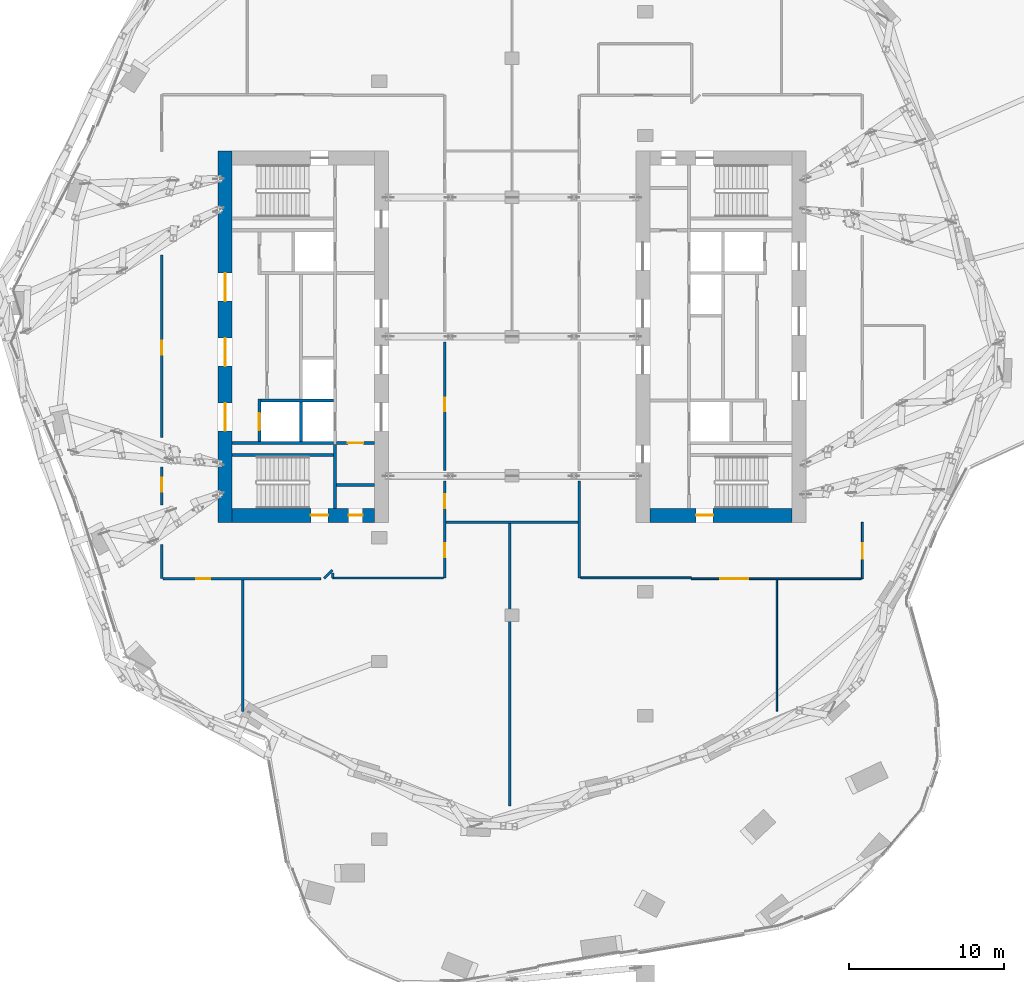
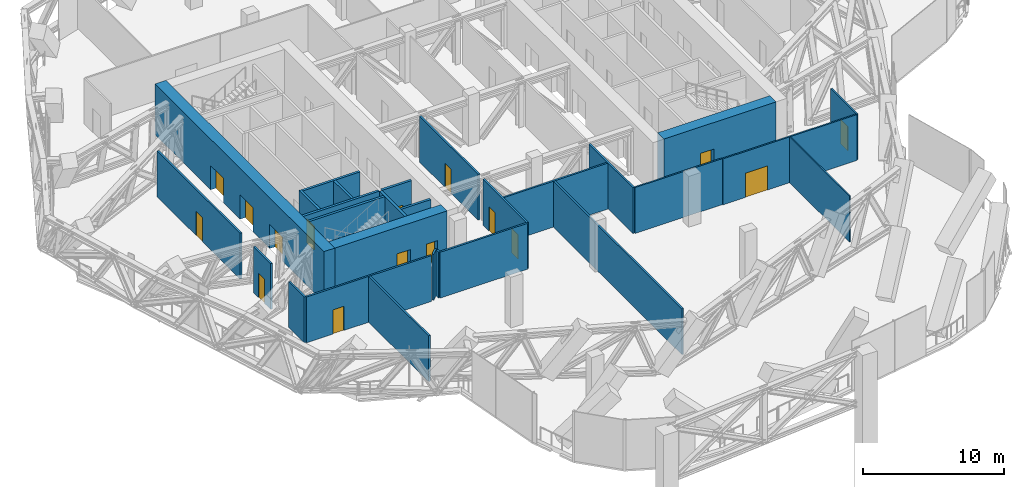
# One storey, part 22 of 31: 28 walls, 16 doors, 16 openings.
"""IFC4 building model written with IfcOpenShell, lengths in metres."""

from ifc_helpers import new_model, si_unit, direction, frame, frame_2d, origin, place, context, subcontext, project, spatial, rectangle, extrude, material, layer, layer_set, type_object, element, fill, save


model = new_model("IFC4")

# Units and contexts
model_context = context("Model", 3, precision=1e-05, world=origin(), true_north=direction((0.0, 1.0)))
body_context = subcontext(model_context, "Body", "Model", "MODEL_VIEW")
ifc_project = project(units=[si_unit("LENGTHUNIT", "METRE"), si_unit("AREAUNIT", "SQUARE_METRE"), si_unit("VOLUMEUNIT", "CUBIC_METRE"), si_unit("PLANEANGLEUNIT", "RADIAN"), si_unit("MASSUNIT", "GRAM", prefix="KILO")], contexts=[model_context])

# Site, building, storey
site_placement = place(None, origin())
site = spatial("IfcSite", under=ifc_project, at=site_placement, CompositionType="ELEMENT")
building_placement = place(site_placement, origin())
building = spatial("IfcBuilding", under=site, at=building_placement, Name="Orlundy Tower", CompositionType="ELEMENT")
storey_placement = place(building_placement, frame((0.0, 0.0, 271.0)))
storey = spatial("IfcBuildingStorey", under=building, at=storey_placement, Name="L72", CompositionType="ELEMENT", Elevation=271.0)

# Wall, openings, doors
ifc_material_1 = material(Name="Concrete C60/75", Category="concrete")
ifc_layer_1 = layer(ifc_material_1, 0.89990234375)
ifc_layer_set_1 = layer_set([ifc_layer_1], Name="CORE WALL 900 C60/75")
wall_type_1 = type_object("IfcWallType", Name="CORE WALL 900 C60/75", PredefinedType="SHEAR", material=ifc_layer_set_1)
wall_1_placement = place(storey_placement, frame((-18.10009765625, -11.550048828125, 0.0), z_axis=(0.0, 0.0, 1.0), x_axis=(1.0, 0.0, 0.0)))
wall_1 = element("IfcWall", 1, at=wall_1_placement, inside=storey, type_object=wall_type_1, Name="Core wall W-S L72", PredefinedType="SHEAR", context=body_context, shape_type="SweptSolid", body=[
    extrude(rectangle(XDim=9.2001953125, YDim=0.89990234375, at=frame_2d((4.60009765625, 0.0))), origin(), (0.0, 0.0, 1.0), 4.39990234375),
])
opening_1_placement = place(wall_1_placement, frame((5.10009765625, 0.0, 0.0)))
opening_1 = element("IfcOpeningElement", 2, at=opening_1_placement, cuts=wall_1, Name="Opening 54016", PredefinedType="OPENING", context=body_context, shape_type="SweptSolid", body=[
    extrude(rectangle(XDim=1.10009765625, YDim=2.10009765625, at=frame_2d((0.550048828125, 1.050048828125))), frame((0.0, 0.4599609375, 0.0), z_axis=(0.0, -1.0, 0.0), x_axis=(1.0, 0.0, 0.0)), (0.0, 0.0, 1.0), 0.919921875),
])
opening_2_placement = place(wall_1_placement, frame((7.530029296875, 0.0, 0.0)))
opening_2 = element("IfcOpeningElement", 3, at=opening_2_placement, cuts=wall_1, Name="Opening 54018", PredefinedType="OPENING", context=body_context, shape_type="SweptSolid", body=[
    extrude(rectangle(XDim=0.89990234375, YDim=2.10009765625, at=frame_2d((0.449951171875, 1.050048828125))), frame((0.0, 0.4599609375, 0.0), z_axis=(0.0, -1.0, 0.0), x_axis=(1.0, 0.0, 0.0)), (0.0, 0.0, 1.0), 0.919921875),
])
ifc_material_2 = material(Name="Timber door set", Category="wood")
door_type_1 = type_object("IfcDoorType", Name="Room Door 900x2100", OperationType="SINGLE_SWING_LEFT", PredefinedType="DOOR", material=ifc_material_2)
door_1_placement = place(opening_2_placement, origin())
door_1 = element("IfcDoor", 4, at=door_1_placement, inside=storey, type_object=door_type_1, Name="Store door 54018", OperationType="SINGLE_SWING_RIGHT", OverallHeight=2.10009765625, OverallWidth=0.89990234375, PredefinedType="DOOR", context=body_context, shape_type="SweptSolid", body=[
    extrude(rectangle(XDim=0.89990234375, YDim=2.10009765625, at=frame_2d((0.449951171875, 1.050048828125))), frame((0.0, 0.02490234375, 0.0), z_axis=(0.0, -1.0, 0.0), x_axis=(1.0, 0.0, 0.0)), (0.0, 0.0, 1.0), 0.050048828125),
])
fill(opening_2, door_1)
ifc_material_3 = material(Name="Steel door set", Category="steel")
door_type_2 = type_object("IfcDoorType", Name="Stair Door 1100x2100", OperationType="SINGLE_SWING_LEFT", PredefinedType="DOOR", material=ifc_material_3)
door_2_placement = place(opening_1_placement, origin())
door_2 = element("IfcDoor", 5, at=door_2_placement, inside=storey, type_object=door_type_2, Name="Stair door 54016", OperationType="SINGLE_SWING_RIGHT", OverallHeight=2.10009765625, OverallWidth=1.10009765625, PredefinedType="DOOR", context=body_context, shape_type="SweptSolid", body=[
    extrude(rectangle(XDim=1.10009765625, YDim=2.10009765625, at=frame_2d((0.550048828125, 1.050048828125))), frame((0.0, 0.02490234375, 0.0), z_axis=(0.0, -1.0, 0.0), x_axis=(1.0, 0.0, 0.0)), (0.0, 0.0, 1.0), 0.050048828125),
])
fill(opening_1, door_2)

wall_2_placement = place(storey_placement, frame((-18.550048828125, -12.0, 0.0), z_axis=(0.0, 0.0, 1.0), x_axis=(0.0, 1.0, 0.0)))
wall_2 = element("IfcWall", 6, at=wall_2_placement, inside=storey, type_object=wall_type_1, Name="Core wall W-W L72", PredefinedType="SHEAR", context=body_context, shape_type="SweptSolid", body=[
    extrude(rectangle(XDim=24.0, YDim=0.89990234375, at=frame_2d((12.0, 0.0))), origin(), (0.0, 0.0, 1.0), 4.39990234375),
])
opening_3_placement = place(wall_2_placement, frame((5.89990234375, 0.0, 0.0)))
opening_3 = element("IfcOpeningElement", 7, at=opening_3_placement, cuts=wall_2, Name="Opening 54009", PredefinedType="OPENING", context=body_context, shape_type="SweptSolid", body=[
    extrude(rectangle(XDim=1.800048828125, YDim=2.10009765625, at=frame_2d((0.89990234375, 1.050048828125))), frame((0.0, 0.4599609375, 0.0), z_axis=(0.0, -1.0, 0.0), x_axis=(1.0, 0.0, 0.0)), (0.0, 0.0, 1.0), 0.919921875),
])
opening_4_placement = place(wall_2_placement, frame((10.10009765625, 0.0, 0.0)))
opening_4 = element("IfcOpeningElement", 8, at=opening_4_placement, cuts=wall_2, Name="Opening 54010", PredefinedType="OPENING", context=body_context, shape_type="SweptSolid", body=[
    extrude(rectangle(XDim=1.800048828125, YDim=2.10009765625, at=frame_2d((0.89990234375, 1.050048828125))), frame((0.0, 0.4599609375, 0.0), z_axis=(0.0, -1.0, 0.0), x_axis=(1.0, 0.0, 0.0)), (0.0, 0.0, 1.0), 0.919921875),
])
opening_5_placement = place(wall_2_placement, frame((14.300048828125, 0.0, 0.0)))
opening_5 = element("IfcOpeningElement", 9, at=opening_5_placement, cuts=wall_2, Name="Opening 54011", PredefinedType="OPENING", context=body_context, shape_type="SweptSolid", body=[
    extrude(rectangle(XDim=1.800048828125, YDim=2.10009765625, at=frame_2d((0.89990234375, 1.050048828125))), frame((0.0, 0.4599609375, 0.0), z_axis=(0.0, -1.0, 0.0), x_axis=(1.0, 0.0, 0.0)), (0.0, 0.0, 1.0), 0.919921875),
])
ifc_material_4 = material(Name="Timber door set", Category="wood")
door_type_3 = type_object("IfcDoorType", Name="Lobby Door 1800x2100", OperationType="DOUBLE_DOOR_DOUBLE_SWING", PredefinedType="DOOR", material=ifc_material_4)
door_3_placement = place(opening_3_placement, origin())
door_3 = element("IfcDoor", 10, at=door_3_placement, inside=storey, type_object=door_type_3, Name="Lift lobby door 54009", OperationType="SINGLE_SWING_LEFT", OverallHeight=2.10009765625, OverallWidth=1.800048828125, PredefinedType="DOOR", context=body_context, shape_type="SweptSolid", body=[
    extrude(rectangle(XDim=1.800048828125, YDim=2.10009765625, at=frame_2d((0.89990234375, 1.050048828125))), frame((0.0, 0.02490234375, 0.0), z_axis=(0.0, -1.0, 0.0), x_axis=(1.0, 0.0, 0.0)), (0.0, 0.0, 1.0), 0.050048828125),
])
fill(opening_3, door_3)
door_4_placement = place(opening_4_placement, origin())
door_4 = element("IfcDoor", 11, at=door_4_placement, inside=storey, type_object=door_type_3, Name="Lift lobby door 54010", OperationType="SINGLE_SWING_LEFT", OverallHeight=2.10009765625, OverallWidth=1.800048828125, PredefinedType="DOOR", context=body_context, shape_type="SweptSolid", body=[
    extrude(rectangle(XDim=1.800048828125, YDim=2.10009765625, at=frame_2d((0.89990234375, 1.050048828125))), frame((0.0, 0.02490234375, 0.0), z_axis=(0.0, -1.0, 0.0), x_axis=(1.0, 0.0, 0.0)), (0.0, 0.0, 1.0), 0.050048828125),
])
fill(opening_4, door_4)
door_5_placement = place(opening_5_placement, origin())
door_5 = element("IfcDoor", 12, at=door_5_placement, inside=storey, type_object=door_type_3, Name="Lift lobby door 54011", OperationType="SINGLE_SWING_RIGHT", OverallHeight=2.10009765625, OverallWidth=1.800048828125, PredefinedType="DOOR", context=body_context, shape_type="SweptSolid", body=[
    extrude(rectangle(XDim=1.800048828125, YDim=2.10009765625, at=frame_2d((0.89990234375, 1.050048828125))), frame((0.0, 0.02490234375, 0.0), z_axis=(0.0, -1.0, 0.0), x_axis=(1.0, 0.0, 0.0)), (0.0, 0.0, 1.0), 0.050048828125),
])
fill(opening_5, door_5)

# Wall, opening, door
wall_3_placement = place(storey_placement, frame((8.89990234375, -11.550048828125, 0.0), z_axis=(0.0, 0.0, 1.0), x_axis=(1.0, 0.0, 0.0)))
wall_3 = element("IfcWall", 13, at=wall_3_placement, inside=storey, type_object=wall_type_1, Name="Core wall E-S L72", PredefinedType="SHEAR", context=body_context, shape_type="SweptSolid", body=[
    extrude(rectangle(XDim=9.2001953125, YDim=0.89990234375, at=frame_2d((4.60009765625, 0.0))), origin(), (0.0, 0.0, 1.0), 4.39990234375),
])
opening_6_placement = place(wall_3_placement, frame((3.0, 0.0, 0.0)))
opening_6 = element("IfcOpeningElement", 14, at=opening_6_placement, cuts=wall_3, Name="Opening 54064", PredefinedType="OPENING", context=body_context, shape_type="SweptSolid", body=[
    extrude(rectangle(XDim=1.10009765625, YDim=2.10009765625, at=frame_2d((0.550048828125, 1.050048828125))), frame((0.0, 0.4599609375, 0.0), z_axis=(0.0, -1.0, 0.0), x_axis=(1.0, 0.0, 0.0)), (0.0, 0.0, 1.0), 0.919921875),
])
door_6_placement = place(opening_6_placement, origin())
door_6 = element("IfcDoor", 15, at=door_6_placement, inside=storey, type_object=door_type_2, Name="Stair door 54064", OperationType="SINGLE_SWING_LEFT", OverallHeight=2.10009765625, OverallWidth=1.10009765625, PredefinedType="DOOR", context=body_context, shape_type="SweptSolid", body=[
    extrude(rectangle(XDim=1.10009765625, YDim=2.10009765625, at=frame_2d((0.550048828125, 1.050048828125))), frame((0.0, 0.02490234375, 0.0), z_axis=(0.0, -1.0, 0.0), x_axis=(1.0, 0.0, 0.0)), (0.0, 0.0, 1.0), 0.050048828125),
])
fill(opening_6, door_6)

# Wall
ifc_material_5 = material(Name="Gypsum board partition")
ifc_layer_2 = layer(ifc_material_5, 0.10009765625)
ifc_layer_set_2 = layer_set([ifc_layer_2], Name="Floor partition 100")
wall_type_2 = type_object("IfcWallType", Name="Floor partition 100", PredefinedType="PARTITIONING", material=ifc_layer_set_2)
wall_4_placement = place(storey_placement, frame((17.12109375, -24.20703125, 0.0), z_axis=(0.0, 0.0, 1.0), x_axis=(0.0, 1.0, 0.0)))
element("IfcWall", 16, at=wall_4_placement, inside=storey, type_object=wall_type_2, Name="wall-int-L72-022", PredefinedType="PARTITIONING", context=body_context, shape_type="SweptSolid", body=[
    extrude(rectangle(XDim=8.494140625, YDim=0.10009765625, at=frame_2d((4.2470703125, 0.0))), origin(), (0.0, 0.0, 1.0), 3.97998046875),
])

# Wall, opening, door
ifc_material_6 = material(Name="Gypsum board partition, double layer")
ifc_layer_3 = layer(ifc_material_6, 0.125)
ifc_layer_set_3 = layer_set([ifc_layer_3], Name="Floor partition 125")
wall_type_3 = type_object("IfcWallType", Name="Floor partition 125", PredefinedType="PARTITIONING", material=ifc_layer_set_3)
wall_5_placement = place(storey_placement, frame((22.5869140625, -15.65087890625, 0.0), z_axis=(0.0, 0.0, 1.0), x_axis=(-1.0, 0.0, 0.0)))
wall_5 = element("IfcWall", 17, at=wall_5_placement, inside=storey, type_object=wall_type_3, Name="wall-int-L72-003", PredefinedType="PARTITIONING", context=body_context, shape_type="SweptSolid", body=[
    extrude(rectangle(XDim=10.995849609375, YDim=0.125, at=frame_2d((5.498046875, 0.0))), origin(), (0.0, 0.0, 1.0), 3.97998046875),
])
opening_7_placement = place(wall_5_placement, frame((7.31640625, 0.0, 0.0)))
opening_7 = element("IfcOpeningElement", 18, at=opening_7_placement, cuts=wall_5, Name="Opening 54106", PredefinedType="OPENING", context=body_context, shape_type="SweptSolid", body=[
    extrude(rectangle(XDim=1.800048828125, YDim=2.10009765625, at=frame_2d((0.89990234375, 1.050048828125))), frame((0.0, 0.072509765625, 0.0), z_axis=(0.0, -1.0, 0.0), x_axis=(1.0, 0.0, 0.0)), (0.0, 0.0, 1.0), 0.14501953125),
])
ifc_material_7 = material(Name="Timber door leaf", Category="wood")
door_type_4 = type_object("IfcDoorType", Name="Floor door double 1800 FD30S", OperationType="NOTDEFINED", PredefinedType="DOOR", material=ifc_material_7)
door_7_placement = place(opening_7_placement, origin())
door_7 = element("IfcDoor", 19, at=door_7_placement, inside=storey, type_object=door_type_4, Name="Door 54106", OperationType="DOUBLE_DOOR_SINGLE_SWING", OverallHeight=2.10009765625, OverallWidth=1.800048828125, PredefinedType="DOOR", context=body_context, shape_type="SweptSolid", body=[
    extrude(rectangle(XDim=1.800048828125, YDim=2.10009765625, at=frame_2d((0.89990234375, 1.050048828125))), frame((0.0, 0.02490234375, 0.0), z_axis=(0.0, -1.0, 0.0), x_axis=(1.0, 0.0, 0.0)), (0.0, 0.0, 1.0), 0.050048828125),
])
fill(opening_7, door_7)

# Wall
wall_6_placement = place(storey_placement, frame((4.425048828125, -15.60009765625, 0.0), z_axis=(0.0, 0.0, 1.0), x_axis=(0.999999990712, -0.000136295487, 0.0)))
element("IfcWall", 20, at=wall_6_placement, inside=storey, type_object=wall_type_3, Name="wall-int-L72-005", PredefinedType="PARTITIONING", context=body_context, shape_type="SweptSolid", body=[
    extrude(rectangle(XDim=7.1650390625, YDim=0.125, at=frame_2d((3.58251953125, 0.0))), origin(), (0.0, 0.0, 1.0), 3.97998046875),
])

# Wall, opening, door
wall_7_placement = place(storey_placement, frame((22.65087890625, -12.0, 0.0), z_axis=(0.0, 0.0, 1.0), x_axis=(0.0, -1.0, 0.0)))
wall_7 = element("IfcWall", 21, at=wall_7_placement, inside=storey, type_object=wall_type_3, Name="wall-int-L72-017", PredefinedType="PARTITIONING", context=body_context, shape_type="SweptSolid", body=[
    extrude(rectangle(XDim=3.64990234375, YDim=0.125, at=frame_2d((1.824951171875, 0.0))), origin(), (0.0, 0.0, 1.0), 3.97998046875),
])
opening_8_placement = place(wall_7_placement, frame((1.35009765625, 0.0, 0.0)))
opening_8 = element("IfcOpeningElement", 22, at=opening_8_placement, cuts=wall_7, Name="Opening 54107", PredefinedType="OPENING", context=body_context, shape_type="SweptSolid", body=[
    extrude(rectangle(XDim=1.0, YDim=2.10009765625, at=frame_2d((0.5, 1.050048828125))), frame((0.0, 0.072509765625, 0.0), z_axis=(0.0, -1.0, 0.0), x_axis=(1.0, 0.0, 0.0)), (0.0, 0.0, 1.0), 0.14501953125),
])
ifc_material_8 = material(Name="Timber door leaf", Category="wood")
door_type_5 = type_object("IfcDoorType", Name="Floor door wide 1000 FD30S", OperationType="NOTDEFINED", PredefinedType="DOOR", material=ifc_material_8)
door_8_placement = place(opening_8_placement, origin())
door_8 = element("IfcDoor", 23, at=door_8_placement, inside=storey, type_object=door_type_5, Name="Door 54107", OperationType="SINGLE_SWING_RIGHT", OverallHeight=2.10009765625, OverallWidth=1.0, PredefinedType="DOOR", context=body_context, shape_type="SweptSolid", body=[
    extrude(rectangle(XDim=1.0, YDim=2.10009765625, at=frame_2d((0.5, 1.050048828125))), frame((0.0, 0.02490234375, 0.0), z_axis=(0.0, -1.0, 0.0), x_axis=(1.0, 0.0, 0.0)), (0.0, 0.0, 1.0), 0.050048828125),
])
fill(opening_8, door_8)

# Wall
ifc_material_9 = material(Name="Blockwork shaft wall", Category="masonry")
ifc_layer_4 = layer(ifc_material_9, 0.14990234375)
ifc_layer_set_4 = layer_set([ifc_layer_4], Name="Floor shaft wall 150")
wall_type_4 = type_object("IfcWallType", Name="Floor shaft wall 150", PredefinedType="PARTITIONING", material=ifc_layer_set_4)
wall_8_placement = place(storey_placement, frame((-11.60107421875, -15.27294921875, 0.0), z_axis=(0.0, 0.0, 1.0), x_axis=(0.002993998557, -0.999995517976, 0.0)))
element("IfcWall", 24, at=wall_8_placement, inside=storey, type_object=wall_type_4, Name="wall-int-L72-001", PredefinedType="PARTITIONING", context=body_context, shape_type="SweptSolid", body=[
    extrude(rectangle(XDim=0.326171875, YDim=0.14990234375, at=frame_2d((0.1630859375, 0.0))), origin(), (0.0, 0.0, 1.0), 3.97998046875),
])

# Wall, opening, door
wall_9_placement = place(storey_placement, frame((-12.341064453125, -15.65087890625, 0.0), z_axis=(0.0, 0.0, 1.0), x_axis=(-1.0, 0.0, 0.0)))
wall_9 = element("IfcWall", 25, at=wall_9_placement, inside=storey, type_object=wall_type_4, Name="wall-int-L72-002", PredefinedType="PARTITIONING", context=body_context, shape_type="SweptSolid", body=[
    extrude(rectangle(XDim=10.23388671875, YDim=0.14990234375, at=frame_2d((5.116943359375, 0.0))), origin(), (0.0, 0.0, 1.0), 3.97998046875),
])
opening_9_placement = place(wall_9_placement, frame((7.162841796875, 0.0, 0.0)))
opening_9 = element("IfcOpeningElement", 26, at=opening_9_placement, cuts=wall_9, Name="Opening 54102", PredefinedType="OPENING", context=body_context, shape_type="SweptSolid", body=[
    extrude(rectangle(XDim=0.89990234375, YDim=2.10009765625, at=frame_2d((0.449951171875, 1.050048828125))), frame((0.0, 0.0849609375, 0.0), z_axis=(0.0, -1.0, 0.0), x_axis=(1.0, 0.0, 0.0)), (0.0, 0.0, 1.0), 0.169921875),
])
ifc_material_10 = material(Name="Timber door leaf", Category="wood")
door_type_6 = type_object("IfcDoorType", Name="Floor door single 900 FD60", OperationType="NOTDEFINED", PredefinedType="DOOR", material=ifc_material_10)
door_9_placement = place(opening_9_placement, origin())
door_9 = element("IfcDoor", 27, at=door_9_placement, inside=storey, type_object=door_type_6, Name="Door 54102", OperationType="SINGLE_SWING_RIGHT", OverallHeight=2.10009765625, OverallWidth=0.89990234375, PredefinedType="DOOR", context=body_context, shape_type="SweptSolid", body=[
    extrude(rectangle(XDim=0.89990234375, YDim=2.10009765625, at=frame_2d((0.449951171875, 1.050048828125))), frame((0.0, 0.02490234375, 0.0), z_axis=(0.0, -1.0, 0.0), x_axis=(1.0, 0.0, 0.0)), (0.0, 0.0, 1.0), 0.050048828125),
])
fill(opening_9, door_9)

# Walls
wall_10_placement = place(storey_placement, frame((-11.59912109375, -15.60009765625, 0.0), z_axis=(0.0, 0.0, 1.0), x_axis=(1.0, 0.0, 0.0)))
element("IfcWall", 28, at=wall_10_placement, inside=storey, type_object=wall_type_4, Name="wall-int-L72-004", PredefinedType="PARTITIONING", context=body_context, shape_type="SweptSolid", body=[
    extrude(rectangle(XDim=7.175048828125, YDim=0.14990234375, at=frame_2d((3.58740234375, 0.0))), origin(), (0.0, 0.0, 1.0), 3.97998046875),
])
wall_11_placement = place(storey_placement, frame((-4.27392578125, -12.0, 0.0), z_axis=(0.0, 0.0, 1.0), x_axis=(1.0, 0.0, 0.0)))
element("IfcWall", 29, at=wall_11_placement, inside=storey, type_object=wall_type_4, Name="wall-int-L72-006", PredefinedType="PARTITIONING", context=body_context, shape_type="SweptSolid", body=[
    extrude(rectangle(XDim=8.548828125, YDim=0.14990234375, at=frame_2d((4.2744140625, 0.0))), origin(), (0.0, 0.0, 1.0), 3.97998046875),
])
wall_12_placement = place(storey_placement, frame((-12.153076171875, -15.6298828125, 0.0), z_axis=(0.0, 0.0, 1.0), x_axis=(0.707269652718, 0.706943872132, 0.0)))
element("IfcWall", 30, at=wall_12_placement, inside=storey, type_object=wall_type_4, Name="wall-int-L72-014", PredefinedType="PARTITIONING", context=body_context, shape_type="SweptSolid", body=[
    extrude(rectangle(XDim=0.74951171875, YDim=0.14990234375, at=frame_2d((0.374755859375, 0.0))), origin(), (0.0, 0.0, 1.0), 3.97998046875),
])
wall_13_placement = place(storey_placement, frame((4.35009765625, -15.60009765625, 0.0), z_axis=(0.0, 0.0, 1.0), x_axis=(0.0, 1.0, 0.0)))
element("IfcWall", 31, at=wall_13_placement, inside=storey, type_object=wall_type_4, Name="wall-int-L72-025", PredefinedType="PARTITIONING", context=body_context, shape_type="SweptSolid", body=[
    extrude(rectangle(XDim=6.26513671875, YDim=0.14990234375, at=frame_2d((3.132568359375, 0.0))), origin(), (0.0, 0.0, 1.0), 3.97998046875),
])
wall_14_placement = place(storey_placement, frame((-0.14208984375, -30.34912109375, 0.0), z_axis=(0.0, 0.0, 1.0), x_axis=(0.0, 1.0, 0.0)))
element("IfcWall", 32, at=wall_14_placement, inside=storey, type_object=wall_type_4, Name="wall-int-L72-031", PredefinedType="PARTITIONING", context=body_context, shape_type="SweptSolid", body=[
    extrude(rectangle(XDim=18.274169921875, YDim=0.14990234375, at=frame_2d((9.13720703125, 0.0))), origin(), (0.0, 0.0, 1.0), 3.97998046875),
])

# Wall, openings, doors
wall_15_placement = place(storey_placement, frame((-4.34912109375, -9.3349609375, 0.0), z_axis=(0.0, 0.0, 1.0), x_axis=(0.0, -1.0, 0.0)))
wall_15 = element("IfcWall", 33, at=wall_15_placement, inside=storey, type_object=wall_type_4, Name="wall-int-L72-032", PredefinedType="PARTITIONING", context=body_context, shape_type="SweptSolid", body=[
    extrude(rectangle(XDim=6.26513671875, YDim=0.14990234375, at=frame_2d((3.132568359375, 0.0))), origin(), (0.0, 0.0, 1.0), 3.97998046875),
])
opening_10_placement = place(wall_15_placement, frame((4.014892578125, 0.0, 0.0)))
opening_10 = element("IfcOpeningElement", 34, at=opening_10_placement, cuts=wall_15, Name="Opening 54103", PredefinedType="OPENING", context=body_context, shape_type="SweptSolid", body=[
    extrude(rectangle(XDim=0.89990234375, YDim=2.10009765625, at=frame_2d((0.449951171875, 1.050048828125))), frame((0.0, 0.0849609375, 0.0), z_axis=(0.0, -1.0, 0.0), x_axis=(1.0, 0.0, 0.0)), (0.0, 0.0, 1.0), 0.169921875),
])
opening_11_placement = place(wall_15_placement, frame((0.85009765625, 0.0, 0.0)))
opening_11 = element("IfcOpeningElement", 35, at=opening_11_placement, cuts=wall_15, Name="Opening 54104", PredefinedType="OPENING", context=body_context, shape_type="SweptSolid", body=[
    extrude(rectangle(XDim=0.89990234375, YDim=2.10009765625, at=frame_2d((0.449951171875, 1.050048828125))), frame((0.0, 0.0849609375, 0.0), z_axis=(0.0, -1.0, 0.0), x_axis=(1.0, 0.0, 0.0)), (0.0, 0.0, 1.0), 0.169921875),
])
door_10_placement = place(opening_10_placement, origin())
door_10 = element("IfcDoor", 36, at=door_10_placement, inside=storey, type_object=door_type_6, Name="Door 54103", OperationType="SINGLE_SWING_RIGHT", OverallHeight=2.10009765625, OverallWidth=0.89990234375, PredefinedType="DOOR", context=body_context, shape_type="SweptSolid", body=[
    extrude(rectangle(XDim=0.89990234375, YDim=2.10009765625, at=frame_2d((0.449951171875, 1.050048828125))), frame((0.0, 0.02490234375, 0.0), z_axis=(0.0, -1.0, 0.0), x_axis=(1.0, 0.0, 0.0)), (0.0, 0.0, 1.0), 0.050048828125),
])
fill(opening_10, door_10)
door_11_placement = place(opening_11_placement, origin())
door_11 = element("IfcDoor", 37, at=door_11_placement, inside=storey, type_object=door_type_6, Name="Door 54104", OperationType="SINGLE_SWING_LEFT", OverallHeight=2.10009765625, OverallWidth=0.89990234375, PredefinedType="DOOR", context=body_context, shape_type="SweptSolid", body=[
    extrude(rectangle(XDim=0.89990234375, YDim=2.10009765625, at=frame_2d((0.449951171875, 1.050048828125))), frame((0.0, 0.02490234375, 0.0), z_axis=(0.0, -1.0, 0.0), x_axis=(1.0, 0.0, 0.0)), (0.0, 0.0, 1.0), 0.050048828125),
])
fill(opening_11, door_11)

# Wall, opening, door
wall_16_placement = place(storey_placement, frame((-4.34912109375, -0.3349609375, 0.0), z_axis=(0.0, 0.0, 1.0), x_axis=(0.0, -1.0, 0.0)))
wall_16 = element("IfcWall", 38, at=wall_16_placement, inside=storey, type_object=wall_type_4, Name="wall-int-L72-033", PredefinedType="PARTITIONING", context=body_context, shape_type="SweptSolid", body=[
    extrude(rectangle(XDim=8.330078125, YDim=0.14990234375, at=frame_2d((4.1650390625, 0.0))), origin(), (0.0, 0.0, 1.0), 3.97998046875),
])
opening_12_placement = place(wall_16_placement, frame((3.60009765625, 0.0, 0.0)))
opening_12 = element("IfcOpeningElement", 39, at=opening_12_placement, cuts=wall_16, Name="Opening 54105", PredefinedType="OPENING", context=body_context, shape_type="SweptSolid", body=[
    extrude(rectangle(XDim=0.89990234375, YDim=2.10009765625, at=frame_2d((0.449951171875, 1.050048828125))), frame((0.0, 0.0849609375, 0.0), z_axis=(0.0, -1.0, 0.0), x_axis=(1.0, 0.0, 0.0)), (0.0, 0.0, 1.0), 0.169921875),
])
door_12_placement = place(opening_12_placement, origin())
door_12 = element("IfcDoor", 40, at=door_12_placement, inside=storey, type_object=door_type_6, Name="Door 54105", OperationType="SINGLE_SWING_LEFT", OverallHeight=2.10009765625, OverallWidth=0.89990234375, PredefinedType="DOOR", context=body_context, shape_type="SweptSolid", body=[
    extrude(rectangle(XDim=0.89990234375, YDim=2.10009765625, at=frame_2d((0.449951171875, 1.050048828125))), frame((0.0, 0.02490234375, 0.0), z_axis=(0.0, -1.0, 0.0), x_axis=(1.0, 0.0, 0.0)), (0.0, 0.0, 1.0), 0.050048828125),
])
fill(opening_12, door_12)

# Walls
wall_17_placement = place(storey_placement, frame((-17.404052734375, -24.238037109375, 0.0), z_axis=(0.0, 0.0, 1.0), x_axis=(0.0, 1.0, 0.0)))
element("IfcWall", 41, at=wall_17_placement, inside=storey, type_object=wall_type_4, Name="wall-int-L72-037", PredefinedType="PARTITIONING", context=body_context, shape_type="SweptSolid", body=[
    extrude(rectangle(XDim=8.511962890625, YDim=0.14990234375, at=frame_2d((4.255859375, 0.0))), origin(), (0.0, 0.0, 1.0), 3.97998046875),
])
wall_18_placement = place(storey_placement, frame((-22.64990234375, -15.65087890625, 0.0), z_axis=(0.0, 0.0, 1.0), x_axis=(0.0, 1.0, 0.0)))
element("IfcWall", 42, at=wall_18_placement, inside=storey, type_object=wall_type_4, Name="wall-int-L72-038", PredefinedType="PARTITIONING", context=body_context, shape_type="SweptSolid", body=[
    extrude(rectangle(XDim=2.198974609375, YDim=0.14990234375, at=frame_2d((1.099609375, 0.0))), origin(), (0.0, 0.0, 1.0), 3.97998046875),
])

# Wall, opening, door
wall_19_placement = place(storey_placement, frame((-22.64990234375, -10.8701171875, 0.0), z_axis=(0.0, 0.0, 1.0), x_axis=(0.0, 1.0, 0.0)))
wall_19 = element("IfcWall", 43, at=wall_19_placement, inside=storey, type_object=wall_type_4, Name="wall-int-L72-039", PredefinedType="PARTITIONING", context=body_context, shape_type="SweptSolid", body=[
    extrude(rectangle(XDim=2.445068359375, YDim=0.14990234375, at=frame_2d((1.22265625, 0.0))), origin(), (0.0, 0.0, 1.0), 3.97998046875),
])
opening_13_placement = place(wall_19_placement, frame((0.85009765625, 0.0, 0.0)))
opening_13 = element("IfcOpeningElement", 44, at=opening_13_placement, cuts=wall_19, Name="Opening 54101", PredefinedType="OPENING", context=body_context, shape_type="SweptSolid", body=[
    extrude(rectangle(XDim=0.89990234375, YDim=2.10009765625, at=frame_2d((0.449951171875, 1.050048828125))), frame((0.0, 0.0849609375, 0.0), z_axis=(0.0, -1.0, 0.0), x_axis=(1.0, 0.0, 0.0)), (0.0, 0.0, 1.0), 0.169921875),
])
door_13_placement = place(opening_13_placement, origin())
door_13 = element("IfcDoor", 45, at=door_13_placement, inside=storey, type_object=door_type_6, Name="Door 54101", OperationType="SINGLE_SWING_RIGHT", OverallHeight=2.10009765625, OverallWidth=0.89990234375, PredefinedType="DOOR", context=body_context, shape_type="SweptSolid", body=[
    extrude(rectangle(XDim=0.89990234375, YDim=2.10009765625, at=frame_2d((0.449951171875, 1.050048828125))), frame((0.0, 0.02490234375, 0.0), z_axis=(0.0, -1.0, 0.0), x_axis=(1.0, 0.0, 0.0)), (0.0, 0.0, 1.0), 0.050048828125),
])
fill(opening_13, door_13)

wall_20_placement = place(storey_placement, frame((-22.64990234375, -6.528076171875, 0.0), z_axis=(0.0, 0.0, 1.0), x_axis=(0.0, 1.0, 0.0)))
wall_20 = element("IfcWall", 46, at=wall_20_placement, inside=storey, type_object=wall_type_4, Name="wall-int-L72-040", PredefinedType="PARTITIONING", context=body_context, shape_type="SweptSolid", body=[
    extrude(rectangle(XDim=11.798095703125, YDim=0.14990234375, at=frame_2d((5.89892578125, 0.0))), origin(), (0.0, 0.0, 1.0), 3.97998046875),
])
opening_14_placement = place(wall_20_placement, frame((5.35009765625, 0.0, 0.0)))
opening_14 = element("IfcOpeningElement", 47, at=opening_14_placement, cuts=wall_20, Name="Opening 54100", PredefinedType="OPENING", context=body_context, shape_type="SweptSolid", body=[
    extrude(rectangle(XDim=0.89990234375, YDim=2.10009765625, at=frame_2d((0.449951171875, 1.050048828125))), frame((0.0, 0.0849609375, 0.0), z_axis=(0.0, -1.0, 0.0), x_axis=(1.0, 0.0, 0.0)), (0.0, 0.0, 1.0), 0.169921875),
])
door_14_placement = place(opening_14_placement, origin())
door_14 = element("IfcDoor", 48, at=door_14_placement, inside=storey, type_object=door_type_6, Name="Door 54100", OperationType="SINGLE_SWING_LEFT", OverallHeight=2.10009765625, OverallWidth=0.89990234375, PredefinedType="DOOR", context=body_context, shape_type="SweptSolid", body=[
    extrude(rectangle(XDim=0.89990234375, YDim=2.10009765625, at=frame_2d((0.449951171875, 1.050048828125))), frame((0.0, 0.02490234375, 0.0), z_axis=(0.0, -1.0, 0.0), x_axis=(1.0, 0.0, 0.0)), (0.0, 0.0, 1.0), 0.050048828125),
])
fill(opening_14, door_14)

# Walls
ifc_material_11 = material(Name="Concrete C40/50", Category="concrete")
ifc_layer_5 = layer(ifc_material_11, 0.199951171875)
ifc_layer_set_5 = layer_set([ifc_layer_5], Name="Load-bearing Shaft Wall 200")
wall_type_5 = type_object("IfcWallType", Name="Load-bearing Shaft Wall 200", PredefinedType="SOLIDWALL", material=ifc_layer_set_5)
wall_21_placement = place(storey_placement, frame((-11.43994140625, -11.10009765625, 0.0), z_axis=(0.0, 0.0, 1.0), x_axis=(0.0, 1.0, 0.0)))
element("IfcWall", 49, at=wall_21_placement, inside=storey, type_object=wall_type_5, Name="Shaft wall W54-stair-end-s", PredefinedType="SOLIDWALL", context=body_context, shape_type="SweptSolid", body=[
    extrude(rectangle(XDim=4.125, YDim=0.199951171875, at=frame_2d((2.0625, 0.0))), origin(), (0.0, 0.0, 1.0), 3.989990234375),
])
wall_22_placement = place(storey_placement, frame((-11.5400390625, -7.64990234375, 0.0), z_axis=(0.0, 0.0, 1.0), x_axis=(-1.0, 0.0, 0.0)))
element("IfcWall", 50, at=wall_22_placement, inside=storey, type_object=wall_type_5, Name="Shaft wall W54-stair-side-s", PredefinedType="SOLIDWALL", context=body_context, shape_type="SweptSolid", body=[
    extrude(rectangle(XDim=6.56005859375, YDim=0.199951171875, at=frame_2d((3.280029296875, 0.0))), origin(), (0.0, 0.0, 1.0), 3.989990234375),
])

# Wall, opening, door
ifc_material_12 = material(Name="Gypsum board partition on steel studs", Category="steel")
ifc_layer_6 = layer(ifc_material_12, 0.199951171875)
ifc_layer_set_6 = layer_set([ifc_layer_6], Name="Partition 200")
wall_type_6 = type_object("IfcWallType", Name="Partition 200", PredefinedType="PARTITIONING", material=ifc_layer_set_6)
wall_23_placement = place(storey_placement, frame((-8.89990234375, -6.875, 0.0), z_axis=(0.0, 0.0, 1.0), x_axis=(-1.0, 0.0, 0.0)))
wall_23 = element("IfcWall", 51, at=wall_23_placement, inside=storey, type_object=wall_type_6, Name="Partition wall W54-end-s", PredefinedType="PARTITIONING", context=body_context, shape_type="SweptSolid", body=[
    extrude(rectangle(XDim=2.440185546875, YDim=0.199951171875, at=frame_2d((1.22021484375, 0.0))), origin(), (0.0, 0.0, 1.0), 3.989990234375),
])
opening_15_placement = place(wall_23_placement, frame((0.719970703125, 0.0, 0.0)))
opening_15 = element("IfcOpeningElement", 52, at=opening_15_placement, cuts=wall_23, Name="Opening 54019", PredefinedType="OPENING", context=body_context, shape_type="SweptSolid", body=[
    extrude(rectangle(XDim=1.0, YDim=2.10009765625, at=frame_2d((0.5, 1.050048828125))), frame((0.0, 0.110107421875, 0.0), z_axis=(0.0, -1.0, 0.0), x_axis=(1.0, 0.0, 0.0)), (0.0, 0.0, 1.0), 0.22021484375),
])
ifc_material_13 = material(Name="Timber door set", Category="wood")
door_type_7 = type_object("IfcDoorType", Name="Accessible Door 1000x2100", OperationType="SINGLE_SWING_LEFT", PredefinedType="DOOR", material=ifc_material_13)
door_15_placement = place(opening_15_placement, origin())
door_15 = element("IfcDoor", 53, at=door_15_placement, inside=storey, type_object=door_type_7, Name="Accessible WC door 54019", OperationType="SINGLE_SWING_RIGHT", OverallHeight=2.10009765625, OverallWidth=1.0, PredefinedType="DOOR", context=body_context, shape_type="SweptSolid", body=[
    extrude(rectangle(XDim=1.0, YDim=2.10009765625, at=frame_2d((0.5, 1.050048828125))), frame((0.0, 0.02490234375, 0.0), z_axis=(0.0, -1.0, 0.0), x_axis=(1.0, 0.0, 0.0)), (0.0, 0.0, 1.0), 0.050048828125),
])
fill(opening_15, door_15)

# Walls
wall_24_placement = place(storey_placement, frame((-8.89990234375, -9.60009765625, 0.0), z_axis=(0.0, 0.0, 1.0), x_axis=(-1.0, 0.0, 0.0)))
element("IfcWall", 54, at=wall_24_placement, inside=storey, type_object=wall_type_6, Name="Partition wall W54-room-s0", PredefinedType="PARTITIONING", context=body_context, shape_type="SweptSolid", body=[
    extrude(rectangle(XDim=2.440185546875, YDim=0.199951171875, at=frame_2d((1.22021484375, 0.0))), origin(), (0.0, 0.0, 1.0), 3.989990234375),
])
ifc_material_14 = material(Name="Fire-rated blockwork shaft wall", Category="masonry")
ifc_layer_7 = layer(ifc_material_14, 0.199951171875)
ifc_layer_set_7 = layer_set([ifc_layer_7], Name="Shaft Wall 200")
wall_type_7 = type_object("IfcWallType", Name="Shaft Wall 200", PredefinedType="SOLIDWALL", material=ifc_layer_set_7)
wall_25_placement = place(storey_placement, frame((-11.5400390625, -6.875, 0.0), z_axis=(0.0, 0.0, 1.0), x_axis=(-1.0, 0.0, 0.0)))
element("IfcWall", 55, at=wall_25_placement, inside=storey, type_object=wall_type_7, Name="Shaft wall W54-zone-s", PredefinedType="SOLIDWALL", context=body_context, shape_type="SweptSolid", body=[
    extrude(rectangle(XDim=6.56005859375, YDim=0.199951171875, at=frame_2d((3.280029296875, 0.0))), origin(), (0.0, 0.0, 1.0), 3.989990234375),
])
wall_26_placement = place(storey_placement, frame((-11.5400390625, -4.125, 0.0), z_axis=(0.0, 0.0, 1.0), x_axis=(-1.0, 0.0, 0.0)))
element("IfcWall", 56, at=wall_26_placement, inside=storey, type_object=wall_type_7, Name="Shaft wall W54-cross-4.125", PredefinedType="SOLIDWALL", context=body_context, shape_type="SweptSolid", body=[
    extrude(rectangle(XDim=4.699951171875, YDim=0.199951171875, at=frame_2d((2.35009765625, 0.0))), origin(), (0.0, 0.0, 1.0), 3.989990234375),
])
wall_27_placement = place(storey_placement, frame((-13.639892578125, -6.77490234375, 0.0), z_axis=(0.0, 0.0, 1.0), x_axis=(0.0, 1.0, 0.0)))
element("IfcWall", 57, at=wall_27_placement, inside=storey, type_object=wall_type_7, Name="Shaft wall W54-mid-a", PredefinedType="SOLIDWALL", context=body_context, shape_type="SweptSolid", body=[
    extrude(rectangle(XDim=2.5498046875, YDim=0.199951171875, at=frame_2d((1.27490234375, 0.0))), origin(), (0.0, 0.0, 1.0), 3.989990234375),
])

# Wall, opening, door
wall_28_placement = place(storey_placement, frame((-16.340087890625, -6.77490234375, 0.0), z_axis=(0.0, 0.0, 1.0), x_axis=(0.0, 1.0, 0.0)))
wall_28 = element("IfcWall", 58, at=wall_28_placement, inside=storey, type_object=wall_type_7, Name="Shaft wall W54-front-o-a", PredefinedType="SOLIDWALL", context=body_context, shape_type="SweptSolid", body=[
    extrude(rectangle(XDim=2.75, YDim=0.199951171875, at=frame_2d((1.375, 0.0))), origin(), (0.0, 0.0, 1.0), 3.989990234375),
])
opening_16_placement = place(wall_28_placement, frame((0.72509765625, 0.0, 0.0)))
opening_16 = element("IfcOpeningElement", 59, at=opening_16_placement, cuts=wall_28, Name="Opening 54002", PredefinedType="OPENING", context=body_context, shape_type="SweptSolid", body=[
    extrude(rectangle(XDim=1.10009765625, YDim=2.10009765625, at=frame_2d((0.550048828125, 1.050048828125))), frame((0.0, 0.110107421875, 0.0), z_axis=(0.0, -1.0, 0.0), x_axis=(1.0, 0.0, 0.0)), (0.0, 0.0, 1.0), 0.22021484375),
])
ifc_material_15 = material(Name="Steel door set", Category="steel")
door_type_8 = type_object("IfcDoorType", Name="Landing Door 1100x2100", OperationType="DOUBLE_DOOR_SLIDING", PredefinedType="DOOR", material=ifc_material_15)
door_16_placement = place(opening_16_placement, origin())
door_16 = element("IfcDoor", 60, at=door_16_placement, inside=storey, type_object=door_type_8, Name="Lift landing door LV-01 54002", OperationType="DOUBLE_DOOR_SLIDING", OverallHeight=2.10009765625, OverallWidth=1.10009765625, PredefinedType="DOOR", context=body_context, shape_type="SweptSolid", body=[
    extrude(rectangle(XDim=1.10009765625, YDim=2.10009765625, at=frame_2d((0.550048828125, 1.050048828125))), frame((0.0, 0.02490234375, 0.0), z_axis=(0.0, -1.0, 0.0), x_axis=(1.0, 0.0, 0.0)), (0.0, 0.0, 1.0), 0.050048828125),
])
fill(opening_16, door_16)

save(model, "model.ifc")
